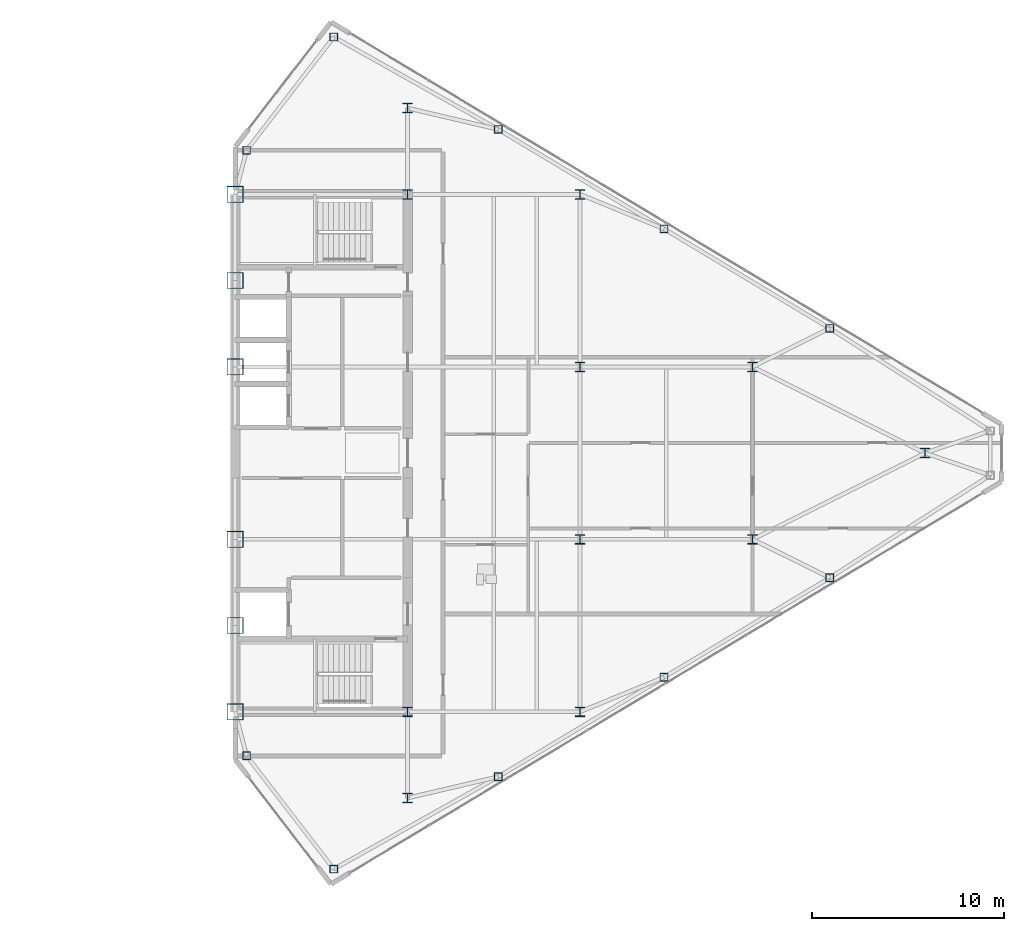
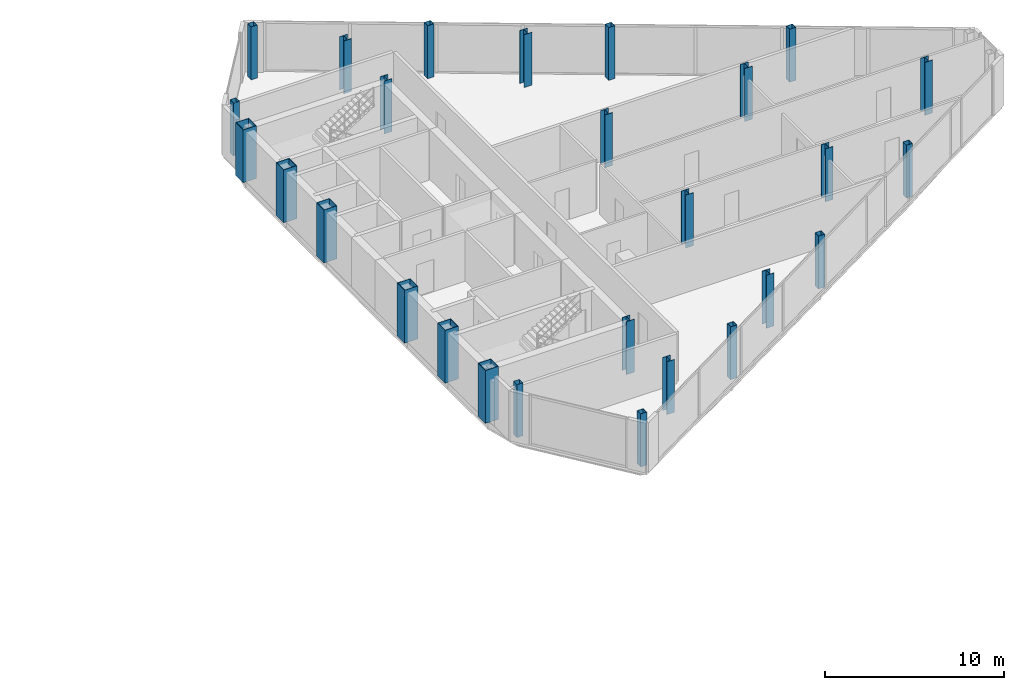
# One storey, part 3 of 25: 27 columns.
"""IFC4 building model written with IfcOpenShell, lengths in metres."""

from ifc_helpers import new_model, si_unit, direction, frame, origin, origin_2d, place, context, subcontext, project, spatial, hollow_rectangle, i_section, extrude, source, transform, mapped, material, material_profile, profile_set, type_object, type_shapes, element, save


model = new_model("IFC4")

# Units and contexts
model_context = context("Model", 3, precision=1e-05, world=origin(), true_north=direction((0.0, 1.0)))
body_context = subcontext(model_context, "Body", "Model", "MODEL_VIEW")
ifc_project = project(units=[si_unit("LENGTHUNIT", "METRE"), si_unit("AREAUNIT", "SQUARE_METRE"), si_unit("VOLUMEUNIT", "CUBIC_METRE"), si_unit("PLANEANGLEUNIT", "RADIAN"), si_unit("MASSUNIT", "GRAM", prefix="KILO")], contexts=[model_context])

# Site, building, storey
site_placement = place(None, origin())
site = spatial("IfcSite", under=ifc_project, at=site_placement, CompositionType="ELEMENT")
building_placement = place(site_placement, origin())
building = spatial("IfcBuilding", under=site, at=building_placement, Name="Seokmaru Belvedere", CompositionType="ELEMENT")
storey_placement = place(building_placement, frame((0.0, 0.0, 213.89990234375)))
storey = spatial("IfcBuildingStorey", under=building, at=storey_placement, Name="L57", CompositionType="ELEMENT", Elevation=213.89990234375)

# Columns
ifc_material_1 = material(Name="Steel HSA650 (650 MPa)", Category="steel")
ifc_material_profile_1 = material_profile(ifc_material_1, hollow_rectangle(XDim=0.85009765625, YDim=0.85009765625, WallThickness=0.035888671875, at=origin_2d()), Name="BOX-850x850x36")
ifc_profile_set_1 = profile_set([ifc_material_profile_1], Name="Steel HSA650 (650 MPa)")
column_type_1 = type_object("IfcColumnType", Name="Portal Spine Column BOX-850", PredefinedType="COLUMN", material=ifc_profile_set_1)
shared_shape_1 = source(origin(), body_context, "Body", "SweptSolid", [
    extrude(hollow_rectangle(XDim=0.85009765625, YDim=0.85009765625, WallThickness=0.035888671875, at=origin_2d()), origin(), (0.0, 0.0, 1.0), 3.60009765625),
])
type_shapes(column_type_1, [shared_shape_1])
for number, where, z_axis, x_axis, name in (
    (1, (27.5, -13.5, 0.0), (0.0, 0.0, 1.0), (1.0, 0.0, 0.0), "L57 Column ES1"),
    (2, (27.5, -9.0, 0.0), (0.0, 0.0, 1.0), (1.0, 0.0, 0.0), "L57 Column ES2"),
    (3, (27.5, -4.5, 0.0), (0.0, 0.0, 1.0), (1.0, 0.0, 0.0), "L57 Column ES3"),
    (4, (27.5, 4.5, 0.0), (0.0, 0.0, 1.0), (1.0, 0.0, 0.0), "L57 Column ES4"),
    (5, (27.5, 9.0, 0.0), (0.0, 0.0, 1.0), (1.0, 0.0, 0.0), "L57 Column ES5"),
    (6, (27.5, 13.5, 0.0), (0.0, 0.0, 1.0), (1.0, 0.0, 0.0), "L57 Column ES6"),
):
    element("IfcColumn", number, at=place(storey_placement, frame(where, z_axis=z_axis, x_axis=x_axis)), inside=storey, type_object=column_type_1, Name=name, PredefinedType="COLUMN", context=body_context, shape_type="MappedRepresentation", body=[
        mapped(shared_shape_1, transform((0.0, 0.0, 0.0), scale=1.0)),
    ])
ifc_material_2 = material(Name="Steel SM355 (355 MPa)", Category="steel")
ifc_material_profile_2 = material_profile(ifc_material_2, i_section(OverallWidth=0.5, OverallDepth=0.5, WebThickness=0.02001953125, FlangeThickness=0.031982421875, at=origin_2d()), Name="H-500x500x20x32")
ifc_profile_set_2 = profile_set([ifc_material_profile_2], Name="Steel SM355 (355 MPa)")
column_type_2 = type_object("IfcColumnType", Name="High-Rise Interior Column H-500", PredefinedType="COLUMN", material=ifc_profile_set_2)
shared_shape_2 = source(origin(), body_context, "Body", "SweptSolid", [
    extrude(i_section(OverallWidth=0.5, OverallDepth=0.5, WebThickness=0.02001953125, FlangeThickness=0.031982421875, at=origin_2d()), origin(), (0.0, 0.0, 1.0), 3.60009765625),
])
type_shapes(column_type_2, [shared_shape_2])
for number, where, z_axis, x_axis, name in (
    (7, (36.5, -18.0, 0.0), (0.0, 0.0, 1.0), (1.0, 0.0, 0.0), "L57 Column EC1"),
    (8, (36.5, -13.5, 0.0), (0.0, 0.0, 1.0), (1.0, 0.0, 0.0), "L57 Column EC2"),
    (9, (36.5, 13.5, 0.0), (0.0, 0.0, 1.0), (1.0, 0.0, 0.0), "L57 Column EC3"),
    (10, (36.5, 18.0, 0.0), (0.0, 0.0, 1.0), (1.0, 0.0, 0.0), "L57 Column EC4"),
    (11, (45.5, -13.5, 0.0), (0.0, 0.0, 1.0), (1.0, 0.0, 0.0), "L57 Column EG5_1"),
    (12, (45.5, -4.5, 0.0), (0.0, 0.0, 1.0), (1.0, 0.0, 0.0), "L57 Column EG5_2"),
    (13, (45.5, 4.5, 0.0), (0.0, 0.0, 1.0), (1.0, 0.0, 0.0), "L57 Column EG5_3"),
    (14, (45.5, 13.5, 0.0), (0.0, 0.0, 1.0), (1.0, 0.0, 0.0), "L57 Column EG5_4"),
    (15, (54.5, -4.5, 0.0), (0.0, 0.0, 1.0), (1.0, 0.0, 0.0), "L57 Column EG4P_1"),
    (16, (54.5, 4.5, 0.0), (0.0, 0.0, 1.0), (1.0, 0.0, 0.0), "L57 Column EG4P_2"),
    (17, (63.5, 0.0, 0.0), (0.0, 0.0, 1.0), (1.0, 0.0, 0.0), "L57 Column EG3P_1"),
):
    element("IfcColumn", number, at=place(storey_placement, frame(where, z_axis=z_axis, x_axis=x_axis)), inside=storey, type_object=column_type_2, Name=name, PredefinedType="COLUMN", context=body_context, shape_type="MappedRepresentation", body=[
        mapped(shared_shape_2, transform((0.0, 0.0, 0.0), scale=1.0)),
    ])
ifc_material_profile_3 = material_profile(ifc_material_2, hollow_rectangle(XDim=0.39990234375, YDim=0.39990234375, WallThickness=0.01611328125, at=origin_2d()), Name="HSS-400x400x16")
ifc_profile_set_3 = profile_set([ifc_material_profile_3], Name="Steel SM355 (355 MPa)")
column_type_3 = type_object("IfcColumnType", Name="Perimeter Facet Column HSS-400", PredefinedType="COLUMN", material=ifc_profile_set_3)
shared_shape_3 = source(origin(), body_context, "Body", "SweptSolid", [
    extrude(hollow_rectangle(XDim=0.39990234375, YDim=0.39990234375, WallThickness=0.01611328125, at=origin_2d()), origin(), (0.0, 0.0, 1.0), 3.60009765625),
])
type_shapes(column_type_3, [shared_shape_3])
for number, where, z_axis, x_axis, name in (
    (18, (32.649658203125, -21.71044921875, 0.0), (0.0, 0.0, 1.0), (1.0, 0.0, 0.0), "L57 Column EF1"),
    (19, (32.649658203125, 21.71044921875, 0.0), (0.0, 0.0, 1.0), (1.0, 0.0, 0.0), "L57 Column EF4"),
    (20, (28.10009765625, 15.7958984375, 0.0), (0.0, 0.0, 1.0), (1.0, 0.0, 0.0), "L57 Column EF5"),
    (21, (28.10009765625, -15.7958984375, 0.0), (0.0, 0.0, 1.0), (1.0, 0.0, 0.0), "L57 Column EF6"),
    (22, (41.229736328125, -16.888916015625, 0.0), (0.0, 0.0, 1.0), (1.0, 0.0, 0.0), "L57 Column EFLK_S1"),
    (23, (49.8798828125, -11.698974609375, 0.0), (0.0, 0.0, 1.0), (1.0, 0.0, 0.0), "L57 Column EFLK_S2"),
    (24, (58.530029296875, -6.5087890625, 0.0), (0.0, 0.0, 1.0), (1.0, 0.0, 0.0), "L57 Column EFLK_S3"),
    (25, (41.229736328125, 16.888916015625, 0.0), (0.0, 0.0, 1.0), (1.0, 0.0, 0.0), "L57 Column EFLK_N1"),
    (26, (49.8798828125, 11.698974609375, 0.0), (0.0, 0.0, 1.0), (1.0, 0.0, 0.0), "L57 Column EFLK_N2"),
    (27, (58.530029296875, 6.5087890625, 0.0), (0.0, 0.0, 1.0), (1.0, 0.0, 0.0), "L57 Column EFLK_N3"),
):
    element("IfcColumn", number, at=place(storey_placement, frame(where, z_axis=z_axis, x_axis=x_axis)), inside=storey, type_object=column_type_3, Name=name, PredefinedType="COLUMN", context=body_context, shape_type="MappedRepresentation", body=[
        mapped(shared_shape_3, transform((0.0, 0.0, 0.0), scale=1.0)),
    ])

save(model, "model.ifc")
